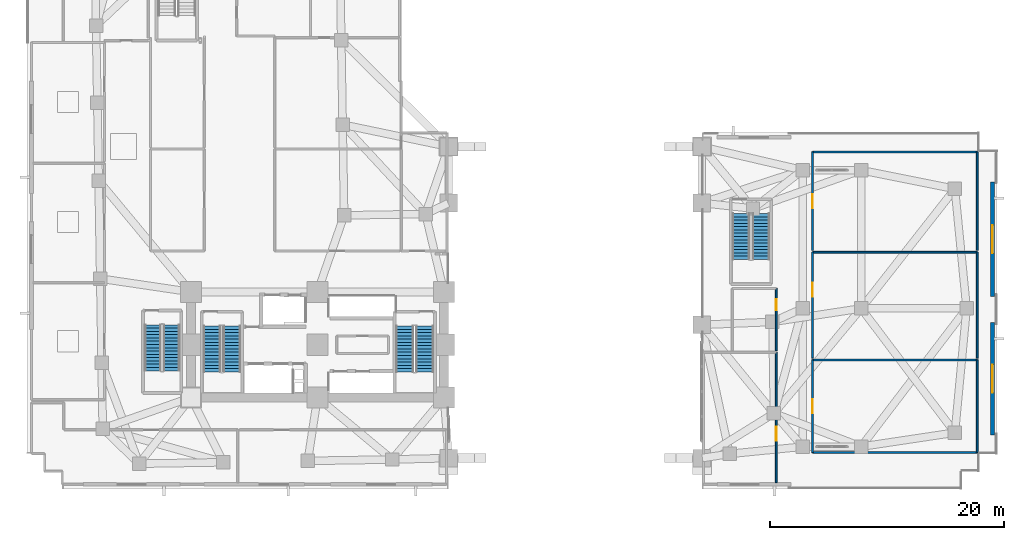
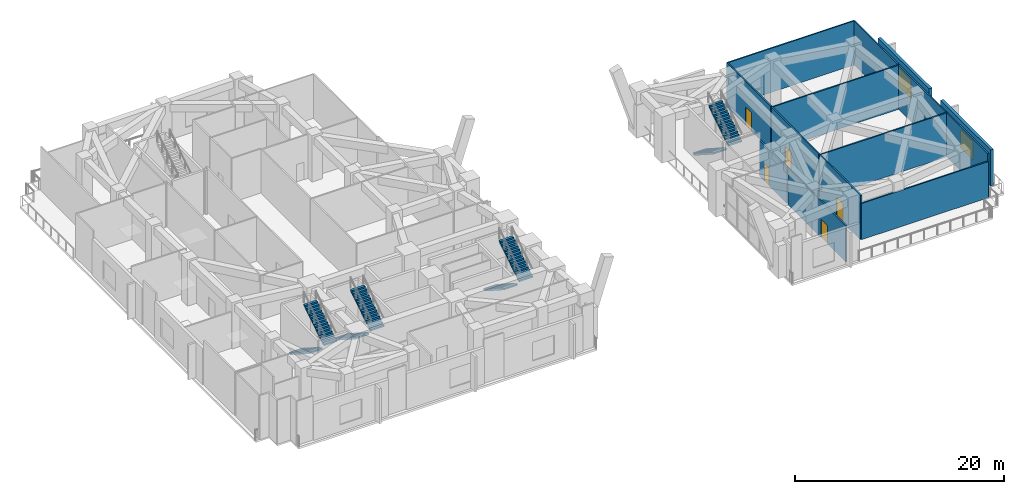
# One storey, part 11 of 18: 14 walls, 8 stair flights, 5 doors, 2 windows, 7 openings, 4 elements without a shape of their own.
"""IFC4 building model written with IfcOpenShell, lengths in metres."""

from ifc_helpers import new_model, si_unit, direction, frame, frame_2d, origin, place, context, subcontext, project, spatial, polyline, rectangle, outline, extrude, material, layer, layer_set, type_object, element, fill, aggregate, save


model = new_model("IFC4")

# Units and contexts
model_context = context("Model", 3, precision=1e-05, world=origin(), true_north=direction((0.0, 1.0)))
body_context = subcontext(model_context, "Body", "Model", "MODEL_VIEW")
ifc_project = project(units=[si_unit("LENGTHUNIT", "METRE"), si_unit("AREAUNIT", "SQUARE_METRE"), si_unit("VOLUMEUNIT", "CUBIC_METRE"), si_unit("PLANEANGLEUNIT", "RADIAN"), si_unit("MASSUNIT", "GRAM", prefix="KILO")], contexts=[model_context])

# Site, building, storey
site_placement = place(None, origin())
site = spatial("IfcSite", under=ifc_project, at=site_placement, CompositionType="ELEMENT")
building_placement = place(site_placement, origin())
building = spatial("IfcBuilding", under=site, at=building_placement, Name="Gaonmaruhae Medical Tower", CompositionType="ELEMENT")
storey_placement = place(building_placement, frame((0.0, 0.0, 5.39990234375)))
storey = spatial("IfcBuildingStorey", under=building, at=storey_placement, Name="L01", CompositionType="ELEMENT", Elevation=5.39990234375)

# Wall, opening, window
ifc_material_1 = material(Name="Precast concrete C45/55", Category="concrete")
ifc_layer_1 = layer(ifc_material_1, 0.320068359375)
ifc_layer_set_1 = layer_set([ifc_layer_1], Name="Precast concrete C45/55")
wall_type_1 = type_object("IfcWallType", Name="EW-320 Lower Precast Masonry-Frame Facade Wall", PredefinedType="SOLIDWALL", material=ifc_layer_set_1)
wall_1_placement = place(storey_placement, frame((82.39990234375, 14.199951171875, 0.0), z_axis=(0.0, 0.0, 1.0), x_axis=(0.0, -1.0, 0.0)))
wall_1 = element("IfcWall", 1, at=wall_1_placement, inside=storey, type_object=wall_type_1, Name="L01 Precast Facade Wall PB-E1", PredefinedType="SOLIDWALL", context=body_context, shape_type="SweptSolid", body=[
    extrude(rectangle(XDim=9.599853515625, YDim=0.320068359375, at=frame_2d((4.7998046875, 0.0))), origin(), (0.0, 0.0, 1.0), 4.22998046875),
])
opening_1_placement = place(wall_1_placement, frame((3.60009765625, 0.0, 0.800048828125)))
opening_1 = element("IfcOpeningElement", 2, at=opening_1_placement, cuts=wall_1, Name="Opening WN-06", PredefinedType="OPENING", context=body_context, shape_type="SweptSolid", body=[
    extrude(rectangle(XDim=2.39990234375, YDim=2.199951171875, at=frame_2d((1.199951171875, 1.10009765625))), frame((0.0, 0.169921875, 0.0), z_axis=(0.0, -1.0, 0.0), x_axis=(1.0, 0.0, 0.0)), (0.0, 0.0, 1.0), 0.340087890625),
])
ifc_material_2 = material(Name="Anodised aluminium and Low-E double glazing", Category="aluminium")
window_type = type_object("IfcWindowType", Name="WN-06 Podium Diagnostic Punched Window 2400x2200", PartitioningType="SINGLE_PANEL", PredefinedType="WINDOW", material=ifc_material_2)
window_1_placement = place(opening_1_placement, origin())
window_1 = element("IfcWindow", 3, at=window_1_placement, inside=storey, type_object=window_type, Name="L01 Podium Punched Window PB-E1", OverallHeight=2.199951171875, OverallWidth=2.39990234375, PartitioningType="SINGLE_PANEL", PredefinedType="WINDOW", context=body_context, shape_type="SweptSolid", body=[
    extrude(rectangle(XDim=2.39990234375, YDim=2.199951171875, at=frame_2d((1.199951171875, 1.10009765625))), frame((0.0, 0.030029296875, 0.0), z_axis=(0.0, -1.0, 0.0), x_axis=(1.0, 0.0, 0.0)), (0.0, 0.0, 1.0), 0.06005859375),
])
fill(opening_1, window_1)

wall_2_placement = place(storey_placement, frame((82.39990234375, 26.199951171875, 0.0), z_axis=(0.0, 0.0, 1.0), x_axis=(0.0, -1.0, 0.0)))
wall_2 = element("IfcWall", 4, at=wall_2_placement, inside=storey, type_object=wall_type_1, Name="L01 Precast Facade Wall PB-E2", PredefinedType="SOLIDWALL", context=body_context, shape_type="SweptSolid", body=[
    extrude(rectangle(XDim=9.800048828125, YDim=0.320068359375, at=frame_2d((4.89990234375, 0.0))), origin(), (0.0, 0.0, 1.0), 4.22998046875),
])
opening_2_placement = place(wall_2_placement, frame((3.699951171875, 0.0, 0.800048828125)))
opening_2 = element("IfcOpeningElement", 5, at=opening_2_placement, cuts=wall_2, Name="Opening WN-06", PredefinedType="OPENING", context=body_context, shape_type="SweptSolid", body=[
    extrude(rectangle(XDim=2.39990234375, YDim=2.199951171875, at=frame_2d((1.199951171875, 1.10009765625))), frame((0.0, 0.169921875, 0.0), z_axis=(0.0, -1.0, 0.0), x_axis=(1.0, 0.0, 0.0)), (0.0, 0.0, 1.0), 0.340087890625),
])
window_2_placement = place(opening_2_placement, origin())
window_2 = element("IfcWindow", 6, at=window_2_placement, inside=storey, type_object=window_type, Name="L01 Podium Punched Window PB-E2", OverallHeight=2.199951171875, OverallWidth=2.39990234375, PartitioningType="SINGLE_PANEL", PredefinedType="WINDOW", context=body_context, shape_type="SweptSolid", body=[
    extrude(rectangle(XDim=2.39990234375, YDim=2.199951171875, at=frame_2d((1.199951171875, 1.10009765625))), frame((0.0, 0.030029296875, 0.0), z_axis=(0.0, -1.0, 0.0), x_axis=(1.0, 0.0, 0.0)), (0.0, 0.0, 1.0), 0.06005859375),
])
fill(opening_2, window_2)

# Walls
ifc_material_3 = material(Name="Gypsum board partition", Category="gypsum")
ifc_layer_2 = layer(ifc_material_3, 0.14990234375)
ifc_layer_set_2 = layer_set([ifc_layer_2], Name="Gypsum board partition")
wall_type_2 = type_object("IfcWallType", Name="PW-150 Rated Clinical Corridor Partition", PredefinedType="PARTITIONING", material=ifc_layer_set_2)
wall_3_placement = place(storey_placement, frame((67.050048828125, 11.0, 0.0), z_axis=(0.0, 0.0, 1.0), x_axis=(1.0, 0.0, 0.0)))
element("IfcWall", 7, at=wall_3_placement, inside=storey, type_object=wall_type_2, Name="L01 Interior Partition L01-EA1-20", PredefinedType="PARTITIONING", context=body_context, shape_type="SweptSolid", body=[
    extrude(rectangle(XDim=14.050048828125, YDim=0.14990234375, at=frame_2d((7.02490234375, 0.0))), origin(), (0.0, 0.0, 1.0), 5.150146484375),
])
wall_4_placement = place(storey_placement, frame((81.10009765625, 11.0, 0.0), z_axis=(0.0, 0.0, 1.0), x_axis=(0.0, -1.0, 0.0)))
element("IfcWall", 8, at=wall_4_placement, inside=storey, type_object=wall_type_2, Name="L01 Interior Partition L01-EA1-21", PredefinedType="PARTITIONING", context=body_context, shape_type="SweptSolid", body=[
    extrude(rectangle(XDim=7.89990234375, YDim=0.14990234375, at=frame_2d((3.949951171875, 0.0))), origin(), (0.0, 0.0, 1.0), 5.150146484375),
])
wall_5_placement = place(storey_placement, frame((81.10009765625, 3.10009765625, 0.0), z_axis=(0.0, 0.0, 1.0), x_axis=(-1.0, 0.0, 0.0)))
element("IfcWall", 9, at=wall_5_placement, inside=storey, type_object=wall_type_2, Name="L01 Interior Partition L01-EA1-22", PredefinedType="PARTITIONING", context=body_context, shape_type="SweptSolid", body=[
    extrude(rectangle(XDim=14.050048828125, YDim=0.14990234375, at=frame_2d((7.02490234375, 0.0))), origin(), (0.0, 0.0, 1.0), 4.235107421875),
])

# Wall, opening, door
wall_6_placement = place(storey_placement, frame((67.050048828125, 3.10009765625, 0.0), z_axis=(0.0, 0.0, 1.0), x_axis=(0.0, 1.0, 0.0)))
wall_6 = element("IfcWall", 10, at=wall_6_placement, inside=storey, type_object=wall_type_2, Name="L01 Interior Partition L01-EA1-23", PredefinedType="PARTITIONING", context=body_context, shape_type="SweptSolid", body=[
    extrude(rectangle(XDim=7.89990234375, YDim=0.14990234375, at=frame_2d((3.949951171875, 0.0))), origin(), (0.0, 0.0, 1.0), 5.150146484375),
])
opening_3_placement = place(wall_6_placement, frame((3.35009765625, 0.0, 0.0)))
opening_3 = element("IfcOpeningElement", 11, at=opening_3_placement, cuts=wall_6, Name="Opening CD-02", PredefinedType="OPENING", context=body_context, shape_type="SweptSolid", body=[
    extrude(rectangle(XDim=1.199951171875, YDim=2.14990234375, at=frame_2d((0.60009765625, 1.074951171875))), frame((0.0, 0.0849609375, 0.0), z_axis=(0.0, -1.0, 0.0), x_axis=(1.0, 0.0, 0.0)), (0.0, 0.0, 1.0), 0.169921875),
])
ifc_material_4 = material(Name="Antimicrobial laminate timber fire door", Category="wood")
door_type_1 = type_object("IfcDoorType", Name="CD-02 Clinical Treatment & Procedure Door 1200x2150", OperationType="NOTDEFINED", PredefinedType="DOOR", material=ifc_material_4)
door_1_placement = place(opening_3_placement, origin())
door_1 = element("IfcDoor", 12, at=door_1_placement, inside=storey, type_object=door_type_1, Name="L01 L01 Molecular Pathology Laboratory Door", OperationType="SINGLE_SWING_RIGHT", OverallHeight=2.14990234375, OverallWidth=1.199951171875, PredefinedType="DOOR", context=body_context, shape_type="SweptSolid", body=[
    extrude(rectangle(XDim=1.199951171875, YDim=2.14990234375, at=frame_2d((0.60009765625, 1.074951171875))), frame((0.0, 0.02490234375, 0.0), z_axis=(0.0, -1.0, 0.0), x_axis=(1.0, 0.0, 0.0)), (0.0, 0.0, 1.0), 0.050048828125),
])
fill(opening_3, door_1)

# Walls
wall_7_placement = place(storey_placement, frame((67.050048828125, 20.199951171875, 0.0), z_axis=(0.0, 0.0, 1.0), x_axis=(1.0, 0.0, 0.0)))
element("IfcWall", 13, at=wall_7_placement, inside=storey, type_object=wall_type_2, Name="L01 Interior Partition L01-EA2-24", PredefinedType="PARTITIONING", context=body_context, shape_type="SweptSolid", body=[
    extrude(rectangle(XDim=14.050048828125, YDim=0.14990234375, at=frame_2d((7.02490234375, 0.0))), origin(), (0.0, 0.0, 1.0), 5.150146484375),
])
wall_8_placement = place(storey_placement, frame((81.10009765625, 20.199951171875, 0.0), z_axis=(0.0, 0.0, 1.0), x_axis=(0.0, -1.0, 0.0)))
element("IfcWall", 14, at=wall_8_placement, inside=storey, type_object=wall_type_2, Name="L01 Interior Partition L01-EA2-25", PredefinedType="PARTITIONING", context=body_context, shape_type="SweptSolid", body=[
    extrude(rectangle(XDim=9.050048828125, YDim=0.14990234375, at=frame_2d((4.52490234375, 0.0))), origin(), (0.0, 0.0, 1.0), 5.150146484375),
])

# Wall, opening, door
wall_9_placement = place(storey_placement, frame((67.050048828125, 11.14990234375, 0.0), z_axis=(0.0, 0.0, 1.0), x_axis=(0.0, 1.0, 0.0)))
wall_9 = element("IfcWall", 15, at=wall_9_placement, inside=storey, type_object=wall_type_2, Name="L01 Interior Partition L01-EA2-26", PredefinedType="PARTITIONING", context=body_context, shape_type="SweptSolid", body=[
    extrude(rectangle(XDim=9.050048828125, YDim=0.14990234375, at=frame_2d((4.52490234375, 0.0))), origin(), (0.0, 0.0, 1.0), 5.150146484375),
])
opening_4_placement = place(wall_9_placement, frame((5.2373046875, 0.0, 0.0)))
opening_4 = element("IfcOpeningElement", 16, at=opening_4_placement, cuts=wall_9, Name="Opening CD-02", PredefinedType="OPENING", context=body_context, shape_type="SweptSolid", body=[
    extrude(rectangle(XDim=1.199951171875, YDim=2.14990234375, at=frame_2d((0.60009765625, 1.074951171875))), frame((0.0, 0.0849609375, 0.0), z_axis=(0.0, -1.0, 0.0), x_axis=(1.0, 0.0, 0.0)), (0.0, 0.0, 1.0), 0.169921875),
])
door_2_placement = place(opening_4_placement, origin())
door_2 = element("IfcDoor", 17, at=door_2_placement, inside=storey, type_object=door_type_1, Name="L01 L01 Clinical Research Seminar Room Door", OperationType="SINGLE_SWING_RIGHT", OverallHeight=2.14990234375, OverallWidth=1.199951171875, PredefinedType="DOOR", context=body_context, shape_type="SweptSolid", body=[
    extrude(rectangle(XDim=1.199951171875, YDim=2.14990234375, at=frame_2d((0.60009765625, 1.074951171875))), frame((0.0, 0.02490234375, 0.0), z_axis=(0.0, -1.0, 0.0), x_axis=(1.0, 0.0, 0.0)), (0.0, 0.0, 1.0), 0.050048828125),
])
fill(opening_4, door_2)

# Walls
wall_10_placement = place(storey_placement, frame((67.050048828125, 28.75, 0.0), z_axis=(0.0, 0.0, 1.0), x_axis=(1.0, 0.0, 0.0)))
element("IfcWall", 18, at=wall_10_placement, inside=storey, type_object=wall_type_2, Name="L01 Interior Partition L01-EA3-27", PredefinedType="PARTITIONING", context=body_context, shape_type="SweptSolid", body=[
    extrude(rectangle(XDim=14.050048828125, YDim=0.14990234375, at=frame_2d((7.02490234375, 0.0))), origin(), (0.0, 0.0, 1.0), 5.150146484375),
])
wall_11_placement = place(storey_placement, frame((81.10009765625, 28.75, 0.0), z_axis=(0.0, 0.0, 1.0), x_axis=(0.0, -1.0, 0.0)))
element("IfcWall", 19, at=wall_11_placement, inside=storey, type_object=wall_type_2, Name="L01 Interior Partition L01-EA3-28", PredefinedType="PARTITIONING", context=body_context, shape_type="SweptSolid", body=[
    extrude(rectangle(XDim=8.39990234375, YDim=0.14990234375, at=frame_2d((4.199951171875, 0.0))), origin(), (0.0, 0.0, 1.0), 5.150146484375),
])

# Wall, opening, door
wall_12_placement = place(storey_placement, frame((67.050048828125, 20.35009765625, 0.0), z_axis=(0.0, 0.0, 1.0), x_axis=(0.0, 1.0, 0.0)))
wall_12 = element("IfcWall", 20, at=wall_12_placement, inside=storey, type_object=wall_type_2, Name="L01 Interior Partition L01-EA3-29", PredefinedType="PARTITIONING", context=body_context, shape_type="SweptSolid", body=[
    extrude(rectangle(XDim=8.39990234375, YDim=0.14990234375, at=frame_2d((4.199951171875, 0.0))), origin(), (0.0, 0.0, 1.0), 5.150146484375),
])
opening_5_placement = place(wall_12_placement, frame((3.60009765625, 0.0, 0.0)))
opening_5 = element("IfcOpeningElement", 21, at=opening_5_placement, cuts=wall_12, Name="Opening CD-02", PredefinedType="OPENING", context=body_context, shape_type="SweptSolid", body=[
    extrude(rectangle(XDim=1.199951171875, YDim=2.14990234375, at=frame_2d((0.60009765625, 1.074951171875))), frame((0.0, 0.0849609375, 0.0), z_axis=(0.0, -1.0, 0.0), x_axis=(1.0, 0.0, 0.0)), (0.0, 0.0, 1.0), 0.169921875),
])
door_3_placement = place(opening_5_placement, origin())
door_3 = element("IfcDoor", 22, at=door_3_placement, inside=storey, type_object=door_type_1, Name="L01 L01 Biomedical Engineering Suite Door", OperationType="SINGLE_SWING_LEFT", OverallHeight=2.14990234375, OverallWidth=1.199951171875, PredefinedType="DOOR", context=body_context, shape_type="SweptSolid", body=[
    extrude(rectangle(XDim=1.199951171875, YDim=2.14990234375, at=frame_2d((0.60009765625, 1.074951171875))), frame((0.0, 0.02490234375, 0.0), z_axis=(0.0, -1.0, 0.0), x_axis=(1.0, 0.0, 0.0)), (0.0, 0.0, 1.0), 0.050048828125),
])
fill(opening_5, door_3)

wall_13_placement = place(storey_placement, frame((63.949951171875, 11.64990234375, 0.0), z_axis=(0.0, 0.0, 1.0), x_axis=(0.0, -1.0, 0.0)))
wall_13 = element("IfcWall", 23, at=wall_13_placement, inside=storey, type_object=wall_type_2, Name="L01 Interior Partition L01-EA4-31", PredefinedType="PARTITIONING", context=body_context, shape_type="SweptSolid", body=[
    extrude(rectangle(XDim=11.114990234375, YDim=0.14990234375, at=frame_2d((5.5576171875, 0.0))), origin(), (0.0, 0.0, 1.0), 4.235107421875),
])
opening_6_placement = place(wall_13_placement, frame((6.36083984375, 0.0, 0.0)))
opening_6 = element("IfcOpeningElement", 24, at=opening_6_placement, cuts=wall_13, Name="Opening CD-02", PredefinedType="OPENING", context=body_context, shape_type="SweptSolid", body=[
    extrude(rectangle(XDim=1.199951171875, YDim=2.14990234375, at=frame_2d((0.60009765625, 1.074951171875))), frame((0.0, 0.0849609375, 0.0), z_axis=(0.0, -1.0, 0.0), x_axis=(1.0, 0.0, 0.0)), (0.0, 0.0, 1.0), 0.169921875),
])
door_4_placement = place(opening_6_placement, origin())
door_4 = element("IfcDoor", 25, at=door_4_placement, inside=storey, type_object=door_type_1, Name="L01 L01 Diagnostic Specimen Processing Suite Door", OperationType="SINGLE_SWING_RIGHT", OverallHeight=2.14990234375, OverallWidth=1.199951171875, PredefinedType="DOOR", context=body_context, shape_type="SweptSolid", body=[
    extrude(rectangle(XDim=1.199951171875, YDim=2.14990234375, at=frame_2d((0.60009765625, 1.074951171875))), frame((0.0, 0.02490234375, 0.0), z_axis=(0.0, -1.0, 0.0), x_axis=(1.0, 0.0, 0.0)), (0.0, 0.0, 1.0), 0.050048828125),
])
fill(opening_6, door_4)

wall_14_placement = place(storey_placement, frame((63.949951171875, 17.10009765625, 0.0), z_axis=(0.0, 0.0, 1.0), x_axis=(0.0, -1.0, 0.0)))
wall_14 = element("IfcWall", 26, at=wall_14_placement, inside=storey, type_object=wall_type_2, Name="L01 Interior Partition L01-EAW-35", PredefinedType="PARTITIONING", context=body_context, shape_type="SweptSolid", body=[
    extrude(rectangle(XDim=5.300048828125, YDim=0.14990234375, at=frame_2d((2.64990234375, 0.0))), origin(), (0.0, 0.0, 1.0), 4.235107421875),
])
opening_7_placement = place(wall_14_placement, frame((0.929443359375, 0.0, 0.0)))
opening_7 = element("IfcOpeningElement", 27, at=opening_7_placement, cuts=wall_14, Name="Opening UD-01", PredefinedType="OPENING", context=body_context, shape_type="SweptSolid", body=[
    extrude(rectangle(XDim=0.919921875, YDim=2.10009765625, at=frame_2d((0.4599609375, 1.050048828125))), frame((0.0, 0.0849609375, 0.0), z_axis=(0.0, -1.0, 0.0), x_axis=(1.0, 0.0, 0.0)), (0.0, 0.0, 1.0), 0.169921875),
])
ifc_material_5 = material(Name="Powder-coated steel utility door", Category="steel")
door_type_2 = type_object("IfcDoorType", Name="UD-01 Toilet, Utility & Housekeeping Door 920x2100", OperationType="NOTDEFINED", PredefinedType="DOOR", material=ifc_material_5)
door_5_placement = place(opening_7_placement, origin())
door_5 = element("IfcDoor", 28, at=door_5_placement, inside=storey, type_object=door_type_2, Name="L01 L01 East Annex Accessible Toilet Door", OperationType="SINGLE_SWING_LEFT", OverallHeight=2.10009765625, OverallWidth=0.919921875, PredefinedType="DOOR", context=body_context, shape_type="SweptSolid", body=[
    extrude(rectangle(XDim=0.919921875, YDim=2.10009765625, at=frame_2d((0.4599609375, 1.050048828125))), frame((0.0, 0.02490234375, 0.0), z_axis=(0.0, -1.0, 0.0), x_axis=(1.0, 0.0, 0.0)), (0.0, 0.0, 1.0), 0.050048828125),
])
fill(opening_7, door_5)

# Stair, stair flights
ifc_material_6 = material(Name="Concrete C40/50", Category="concrete")
stair_type_1 = type_object("IfcStairType", Name="ST-T1 Primary Core Escape Dogleg Stair", PredefinedType="TWO_QUARTER_TURN_STAIR", material=ifc_material_6)
stair_1_placement = place(storey_placement, origin())
stair_1 = element("IfcStair", 29, at=stair_1_placement, inside=storey, type_object=stair_type_1, Name="L01 Protected Escape Stair ST-01", PredefinedType="TWO_QUARTER_TURN_STAIR")
stair_flight_type_1 = type_object("IfcStairFlightType", Name="SF-T1 Primary Core Precast Stair Flight", PredefinedType="STRAIGHT", material=ifc_material_6)
stair_flight_1_placement = place(storey_placement, frame((15.800048828125, 13.89990234375, 0.0), z_axis=(0.0, 0.0, 1.0), x_axis=(0.0, -1.0, 0.0)))
stair_flight_1 = element("IfcStairFlight", 30, at=stair_flight_1_placement, type_object=stair_flight_type_1, Name="ST-01 flight 1", NumberOfRisers=15, NumberOfTreads=14, PredefinedType="STRAIGHT", RiserHeight=0.18, TreadLength=0.28, context=body_context, shape_type="SweptSolid", body=[
    extrude(outline(polyline([(0.0, 0.0), (0.0, 0.179931640625), (0.280029296875, 0.179931640625), (0.280029296875, 0.360107421875), (0.56005859375, 0.360107421875), (0.56005859375, 0.5400390625), (0.840087890625, 0.5400390625), (0.840087890625, 0.719970703125), (1.1201171875, 0.719970703125), (1.1201171875, 0.89990234375), (1.39990234375, 0.89990234375), (1.39990234375, 1.080078125), (1.679931640625, 1.080078125), (1.679931640625, 1.260009765625), (1.9599609375, 1.260009765625), (1.9599609375, 1.43994140625), (2.239990234375, 1.43994140625), (2.239990234375, 1.6201171875), (2.52001953125, 1.6201171875), (2.52001953125, 1.800048828125), (2.800048828125, 1.800048828125), (2.800048828125, 1.97998046875), (3.080078125, 1.97998046875), (3.080078125, 2.159912109375), (3.360107421875, 2.159912109375), (3.360107421875, 2.340087890625), (3.639892578125, 2.340087890625), (3.639892578125, 2.52001953125), (3.919921875, 2.52001953125), (3.919921875, 2.699951171875), (3.919921875, 2.341796875), (0.277099609375, 0.0), (0.0, 0.0)])), frame((0.0, 0.75, 0.0), z_axis=(0.0, -1.0, 0.0), x_axis=(1.0, 0.0, 0.0)), (0.0, 0.0, 1.0), 1.5),
])
stair_flight_2_placement = place(storey_placement, frame((17.5, 9.97998046875, 2.7001953125), z_axis=(0.0, 0.0, 1.0), x_axis=(0.0, 1.0, 0.0)))
stair_flight_2 = element("IfcStairFlight", 31, at=stair_flight_2_placement, type_object=stair_flight_type_1, Name="ST-01 flight 2", NumberOfRisers=15, NumberOfTreads=14, PredefinedType="STRAIGHT", RiserHeight=0.18, TreadLength=0.28, context=body_context, shape_type="SweptSolid", body=[
    extrude(outline(polyline([(0.0, 0.0), (0.0, 0.179931640625), (0.280029296875, 0.179931640625), (0.280029296875, 0.360107421875), (0.56005859375, 0.360107421875), (0.56005859375, 0.5400390625), (0.840087890625, 0.5400390625), (0.840087890625, 0.719970703125), (1.1201171875, 0.719970703125), (1.1201171875, 0.89990234375), (1.39990234375, 0.89990234375), (1.39990234375, 1.080078125), (1.679931640625, 1.080078125), (1.679931640625, 1.260009765625), (1.9599609375, 1.260009765625), (1.9599609375, 1.43994140625), (2.239990234375, 1.43994140625), (2.239990234375, 1.6201171875), (2.52001953125, 1.6201171875), (2.52001953125, 1.800048828125), (2.800048828125, 1.800048828125), (2.800048828125, 1.97998046875), (3.080078125, 1.97998046875), (3.080078125, 2.159912109375), (3.360107421875, 2.159912109375), (3.360107421875, 2.340087890625), (3.639892578125, 2.340087890625), (3.639892578125, 2.52001953125), (3.919921875, 2.52001953125), (3.919921875, 2.699951171875), (3.919921875, 2.341796875), (0.277099609375, 0.0), (0.0, 0.0)])), frame((0.0, 0.75, 0.0), z_axis=(0.0, -1.0, 0.0), x_axis=(1.0, 0.0, 0.0)), (0.0, 0.0, 1.0), 1.5),
])
aggregate(stair_1, [stair_flight_1, stair_flight_2])

stair_2_placement = place(storey_placement, origin())
stair_2 = element("IfcStair", 32, at=stair_2_placement, inside=storey, type_object=stair_type_1, Name="L01 Protected Escape Stair ST-02", PredefinedType="TWO_QUARTER_TURN_STAIR")
stair_flight_3_placement = place(storey_placement, frame((32.25, 13.89990234375, 0.0), z_axis=(0.0, 0.0, 1.0), x_axis=(0.0, -1.0, 0.0)))
stair_flight_3 = element("IfcStairFlight", 33, at=stair_flight_3_placement, type_object=stair_flight_type_1, Name="ST-02 flight 1", NumberOfRisers=15, NumberOfTreads=14, PredefinedType="STRAIGHT", RiserHeight=0.18, TreadLength=0.28, context=body_context, shape_type="SweptSolid", body=[
    extrude(outline(polyline([(0.0, 0.0), (0.0, 0.179931640625), (0.280029296875, 0.179931640625), (0.280029296875, 0.360107421875), (0.56005859375, 0.360107421875), (0.56005859375, 0.5400390625), (0.840087890625, 0.5400390625), (0.840087890625, 0.719970703125), (1.1201171875, 0.719970703125), (1.1201171875, 0.89990234375), (1.39990234375, 0.89990234375), (1.39990234375, 1.080078125), (1.679931640625, 1.080078125), (1.679931640625, 1.260009765625), (1.9599609375, 1.260009765625), (1.9599609375, 1.43994140625), (2.239990234375, 1.43994140625), (2.239990234375, 1.6201171875), (2.52001953125, 1.6201171875), (2.52001953125, 1.800048828125), (2.800048828125, 1.800048828125), (2.800048828125, 1.97998046875), (3.080078125, 1.97998046875), (3.080078125, 2.159912109375), (3.360107421875, 2.159912109375), (3.360107421875, 2.340087890625), (3.639892578125, 2.340087890625), (3.639892578125, 2.52001953125), (3.919921875, 2.52001953125), (3.919921875, 2.699951171875), (3.919921875, 2.341796875), (0.277099609375, 0.0), (0.0, 0.0)])), frame((0.0, 0.75, 0.0), z_axis=(0.0, -1.0, 0.0), x_axis=(1.0, 0.0, 0.0)), (0.0, 0.0, 1.0), 1.5),
])
stair_flight_4_placement = place(storey_placement, frame((33.949951171875, 9.97998046875, 2.7001953125), z_axis=(0.0, 0.0, 1.0), x_axis=(0.0, 1.0, 0.0)))
stair_flight_4 = element("IfcStairFlight", 34, at=stair_flight_4_placement, type_object=stair_flight_type_1, Name="ST-02 flight 2", NumberOfRisers=15, NumberOfTreads=14, PredefinedType="STRAIGHT", RiserHeight=0.18, TreadLength=0.28, context=body_context, shape_type="SweptSolid", body=[
    extrude(outline(polyline([(0.0, 0.0), (0.0, 0.179931640625), (0.280029296875, 0.179931640625), (0.280029296875, 0.360107421875), (0.56005859375, 0.360107421875), (0.56005859375, 0.5400390625), (0.840087890625, 0.5400390625), (0.840087890625, 0.719970703125), (1.1201171875, 0.719970703125), (1.1201171875, 0.89990234375), (1.39990234375, 0.89990234375), (1.39990234375, 1.080078125), (1.679931640625, 1.080078125), (1.679931640625, 1.260009765625), (1.9599609375, 1.260009765625), (1.9599609375, 1.43994140625), (2.239990234375, 1.43994140625), (2.239990234375, 1.6201171875), (2.52001953125, 1.6201171875), (2.52001953125, 1.800048828125), (2.800048828125, 1.800048828125), (2.800048828125, 1.97998046875), (3.080078125, 1.97998046875), (3.080078125, 2.159912109375), (3.360107421875, 2.159912109375), (3.360107421875, 2.340087890625), (3.639892578125, 2.340087890625), (3.639892578125, 2.52001953125), (3.919921875, 2.52001953125), (3.919921875, 2.699951171875), (3.919921875, 2.341796875), (0.277099609375, 0.0), (0.0, 0.0)])), frame((0.0, 0.75, 0.0), z_axis=(0.0, -1.0, 0.0), x_axis=(1.0, 0.0, 0.0)), (0.0, 0.0, 1.0), 1.5),
])
aggregate(stair_2, [stair_flight_3, stair_flight_4])

stair_type_2 = type_object("IfcStairType", Name="ST-T2 Zone 1 Escape Dogleg Stair", PredefinedType="TWO_QUARTER_TURN_STAIR", material=ifc_material_6)
stair_3_placement = place(storey_placement, origin())
stair_3 = element("IfcStair", 35, at=stair_3_placement, inside=storey, type_object=stair_type_2, Name="L01 Protected Escape Stair ST-03", PredefinedType="TWO_QUARTER_TURN_STAIR")
stair_flight_type_2 = type_object("IfcStairFlightType", Name="SF-T2 Zone 1 Precast Stair Flight", PredefinedType="STRAIGHT", material=ifc_material_6)
stair_flight_5_placement = place(storey_placement, frame((10.75, 14.0, 0.0), z_axis=(0.0, 0.0, 1.0), x_axis=(0.0, -1.0, 0.0)))
stair_flight_5 = element("IfcStairFlight", 36, at=stair_flight_5_placement, type_object=stair_flight_type_2, Name="ST-03 flight 1", NumberOfRisers=15, NumberOfTreads=14, PredefinedType="STRAIGHT", RiserHeight=0.18, TreadLength=0.28, context=body_context, shape_type="SweptSolid", body=[
    extrude(outline(polyline([(0.0, 0.0), (0.0, 0.179931640625), (0.280029296875, 0.179931640625), (0.280029296875, 0.360107421875), (0.56005859375, 0.360107421875), (0.56005859375, 0.5400390625), (0.840087890625, 0.5400390625), (0.840087890625, 0.719970703125), (1.1201171875, 0.719970703125), (1.1201171875, 0.89990234375), (1.39990234375, 0.89990234375), (1.39990234375, 1.080078125), (1.679931640625, 1.080078125), (1.679931640625, 1.260009765625), (1.9599609375, 1.260009765625), (1.9599609375, 1.43994140625), (2.239990234375, 1.43994140625), (2.239990234375, 1.6201171875), (2.52001953125, 1.6201171875), (2.52001953125, 1.800048828125), (2.800048828125, 1.800048828125), (2.800048828125, 1.97998046875), (3.080078125, 1.97998046875), (3.080078125, 2.159912109375), (3.360107421875, 2.159912109375), (3.360107421875, 2.340087890625), (3.639892578125, 2.340087890625), (3.639892578125, 2.52001953125), (3.919921875, 2.52001953125), (3.919921875, 2.699951171875), (3.919921875, 2.341796875), (0.277099609375, 0.0), (0.0, 0.0)])), frame((0.0, 0.699951171875, 0.0), z_axis=(0.0, -1.0, 0.0), x_axis=(1.0, 0.0, 0.0)), (0.0, 0.0, 1.0), 1.39990234375),
])
stair_flight_6_placement = place(storey_placement, frame((12.35009765625, 10.080078125, 2.7001953125), z_axis=(0.0, 0.0, 1.0), x_axis=(0.0, 1.0, 0.0)))
stair_flight_6 = element("IfcStairFlight", 37, at=stair_flight_6_placement, type_object=stair_flight_type_2, Name="ST-03 flight 2", NumberOfRisers=15, NumberOfTreads=14, PredefinedType="STRAIGHT", RiserHeight=0.18, TreadLength=0.28, context=body_context, shape_type="SweptSolid", body=[
    extrude(outline(polyline([(0.0, 0.0), (0.0, 0.179931640625), (0.280029296875, 0.179931640625), (0.280029296875, 0.360107421875), (0.56005859375, 0.360107421875), (0.56005859375, 0.5400390625), (0.840087890625, 0.5400390625), (0.840087890625, 0.719970703125), (1.1201171875, 0.719970703125), (1.1201171875, 0.89990234375), (1.39990234375, 0.89990234375), (1.39990234375, 1.080078125), (1.679931640625, 1.080078125), (1.679931640625, 1.260009765625), (1.9599609375, 1.260009765625), (1.9599609375, 1.43994140625), (2.239990234375, 1.43994140625), (2.239990234375, 1.6201171875), (2.52001953125, 1.6201171875), (2.52001953125, 1.800048828125), (2.800048828125, 1.800048828125), (2.800048828125, 1.97998046875), (3.080078125, 1.97998046875), (3.080078125, 2.159912109375), (3.360107421875, 2.159912109375), (3.360107421875, 2.340087890625), (3.639892578125, 2.340087890625), (3.639892578125, 2.52001953125), (3.919921875, 2.52001953125), (3.919921875, 2.699951171875), (3.919921875, 2.341796875), (0.277099609375, 0.0), (0.0, 0.0)])), frame((0.0, 0.699951171875, 0.0), z_axis=(0.0, -1.0, 0.0), x_axis=(1.0, 0.0, 0.0)), (0.0, 0.0, 1.0), 1.39990234375),
])
aggregate(stair_3, [stair_flight_5, stair_flight_6])

stair_type_3 = type_object("IfcStairType", Name="ST-T3 Podium Escape Dogleg Stair", PredefinedType="TWO_QUARTER_TURN_STAIR", material=ifc_material_6)
stair_4_placement = place(storey_placement, origin())
stair_4 = element("IfcStair", 38, at=stair_4_placement, inside=storey, type_object=stair_type_3, Name="L01 Protected Escape Stair ST-04", PredefinedType="TWO_QUARTER_TURN_STAIR")
stair_flight_type_3 = type_object("IfcStairFlightType", Name="SF-T3 Podium Precast Stair Flight", PredefinedType="STRAIGHT", material=ifc_material_6)
stair_flight_7_placement = place(storey_placement, frame((60.949951171875, 23.5, 0.0), z_axis=(0.0, 0.0, 1.0), x_axis=(0.0, -1.0, 0.0)))
stair_flight_7 = element("IfcStairFlight", 39, at=stair_flight_7_placement, type_object=stair_flight_type_3, Name="ST-04 flight 1", NumberOfRisers=15, NumberOfTreads=14, PredefinedType="STRAIGHT", RiserHeight=0.18, TreadLength=0.28, context=body_context, shape_type="SweptSolid", body=[
    extrude(outline(polyline([(0.0, 0.0), (0.0, 0.179931640625), (0.280029296875, 0.179931640625), (0.280029296875, 0.360107421875), (0.56005859375, 0.360107421875), (0.56005859375, 0.5400390625), (0.840087890625, 0.5400390625), (0.840087890625, 0.719970703125), (1.1201171875, 0.719970703125), (1.1201171875, 0.89990234375), (1.39990234375, 0.89990234375), (1.39990234375, 1.080078125), (1.679931640625, 1.080078125), (1.679931640625, 1.260009765625), (1.9599609375, 1.260009765625), (1.9599609375, 1.43994140625), (2.239990234375, 1.43994140625), (2.239990234375, 1.6201171875), (2.52001953125, 1.6201171875), (2.52001953125, 1.800048828125), (2.800048828125, 1.800048828125), (2.800048828125, 1.97998046875), (3.080078125, 1.97998046875), (3.080078125, 2.159912109375), (3.360107421875, 2.159912109375), (3.360107421875, 2.340087890625), (3.639892578125, 2.340087890625), (3.639892578125, 2.52001953125), (3.919921875, 2.52001953125), (3.919921875, 2.699951171875), (3.919921875, 2.341796875), (0.277099609375, 0.0), (0.0, 0.0)])), frame((0.0, 0.75, 0.0), z_axis=(0.0, -1.0, 0.0), x_axis=(1.0, 0.0, 0.0)), (0.0, 0.0, 1.0), 1.5),
])
stair_flight_8_placement = place(storey_placement, frame((62.64990234375, 19.580078125, 2.7001953125), z_axis=(0.0, 0.0, 1.0), x_axis=(0.0, 1.0, 0.0)))
stair_flight_8 = element("IfcStairFlight", 40, at=stair_flight_8_placement, type_object=stair_flight_type_3, Name="ST-04 flight 2", NumberOfRisers=15, NumberOfTreads=14, PredefinedType="STRAIGHT", RiserHeight=0.18, TreadLength=0.28, context=body_context, shape_type="SweptSolid", body=[
    extrude(outline(polyline([(0.0, 0.0), (0.0, 0.179931640625), (0.280029296875, 0.179931640625), (0.280029296875, 0.360107421875), (0.56005859375, 0.360107421875), (0.56005859375, 0.5400390625), (0.840087890625, 0.5400390625), (0.840087890625, 0.719970703125), (1.1201171875, 0.719970703125), (1.1201171875, 0.89990234375), (1.39990234375, 0.89990234375), (1.39990234375, 1.080078125), (1.679931640625, 1.080078125), (1.679931640625, 1.260009765625), (1.9599609375, 1.260009765625), (1.9599609375, 1.43994140625), (2.239990234375, 1.43994140625), (2.239990234375, 1.6201171875), (2.52001953125, 1.6201171875), (2.52001953125, 1.800048828125), (2.800048828125, 1.800048828125), (2.800048828125, 1.97998046875), (3.080078125, 1.97998046875), (3.080078125, 2.159912109375), (3.360107421875, 2.159912109375), (3.360107421875, 2.340087890625), (3.639892578125, 2.340087890625), (3.639892578125, 2.52001953125), (3.919921875, 2.52001953125), (3.919921875, 2.699951171875), (3.919921875, 2.341796875), (0.277099609375, 0.0), (0.0, 0.0)])), frame((0.0, 0.75, 0.0), z_axis=(0.0, -1.0, 0.0), x_axis=(1.0, 0.0, 0.0)), (0.0, 0.0, 1.0), 1.5),
])
aggregate(stair_4, [stair_flight_7, stair_flight_8])

save(model, "model.ifc")
